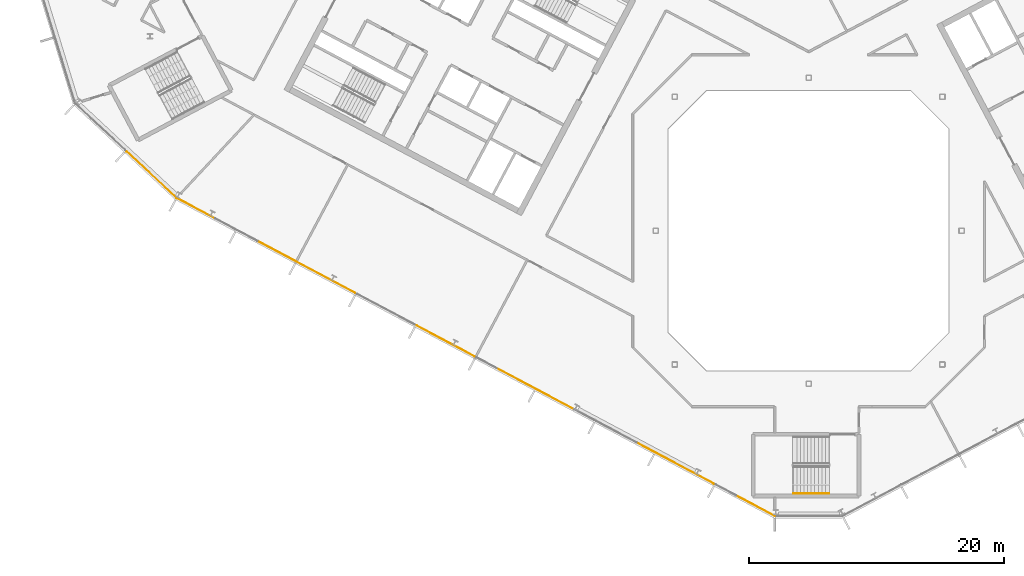
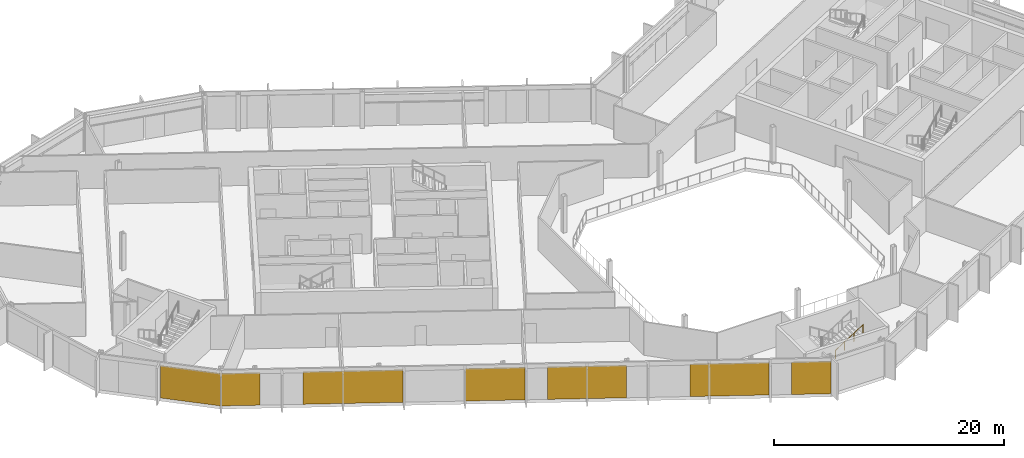
# One storey, part 19 of 26: 7 coverings, 1 railing, 2 elements without a shape of their own.
"""IFC4 building model written with IfcOpenShell, lengths in metres."""

from ifc_helpers import new_model, si_unit, direction, frame, origin, origin_2d, place, context, subcontext, project, spatial, polyline, rectangle, outline, extrude, material, layer, layer_set, type_object, element, aggregate, save


model = new_model("IFC4")

# Units and contexts
model_context = context("Model", 3, precision=1e-05, world=origin(), true_north=direction((0.0, 1.0)))
body_context = subcontext(model_context, "Body", "Model", "MODEL_VIEW")
ifc_project = project(units=[si_unit("LENGTHUNIT", "METRE"), si_unit("AREAUNIT", "SQUARE_METRE"), si_unit("VOLUMEUNIT", "CUBIC_METRE"), si_unit("PLANEANGLEUNIT", "RADIAN"), si_unit("MASSUNIT", "GRAM", prefix="KILO")], contexts=[model_context])

# Site, building, storey
site_placement = place(None, origin())
site = spatial("IfcSite", under=ifc_project, at=site_placement, CompositionType="ELEMENT")
building_placement = place(site_placement, origin())
building = spatial("IfcBuilding", under=site, at=building_placement, Name="Cormorant Relay Tower", CompositionType="ELEMENT")
storey_placement = place(building_placement, frame((0.0, 0.0, 300.89990234375)))
storey = spatial("IfcBuildingStorey", under=building, at=storey_placement, Name="L68", CompositionType="ELEMENT", Elevation=300.89990234375)

# Curtain wall, covering
ifc_material_1 = material(Name="Aluminium 6063-T6 anodised bronze", Category="aluminium")
ifc_layer_1 = layer(ifc_material_1, 0.199951171875)
ifc_layer_set_1 = layer_set([ifc_layer_1], Name="CW1 unitised bronze curtain wall with vertical fins")
curtain_wall_type = type_object("IfcCurtainWallType", Name="CW1 unitised bronze curtain wall with vertical fins", PredefinedType="NOTDEFINED", material=ifc_layer_set_1)
curtain_wall_1_placement = place(storey_placement, origin())
curtain_wall_1 = element("IfcCurtainWall", 1, at=curtain_wall_1_placement, inside=storey, type_object=curtain_wall_type, Name="CW1 curtain wall 15", PredefinedType="NOTDEFINED")
ifc_material_2 = material(Name="Pale bronze anodised aluminium insulated panel", Category="aluminium")
ifc_layer_2 = layer(ifc_material_2, 0.0400390625)
ifc_layer_set_2 = layer_set([ifc_layer_2], Name="CW1 pale bronze insulated panel 40")
covering_type = type_object("IfcCoveringType", Name="CW1 pale bronze insulated panel 40", PredefinedType="CLADDING", material=ifc_layer_set_2)
covering_1_placement = place(storey_placement, frame((-51.565185546875, 4.3974609375, 0.0), z_axis=(0.0, 0.0, 1.0), x_axis=(0.731353701619, -0.681998360062, 0.0)))
covering_1 = element("IfcCovering", 2, at=covering_1_placement, type_object=covering_type, Name="CW1 panel S02", PredefinedType="CLADDING", context=body_context, shape_type="SweptSolid", body=[
    extrude(rectangle(XDim=5.360107421875, YDim=0.0400390625, at=origin_2d()), origin(), (0.0, 0.0, 1.0), 3.449951171875),
])
aggregate(curtain_wall_1, [covering_1])

# Curtain wall, coverings
curtain_wall_2_placement = place(storey_placement, origin())
curtain_wall_2 = element("IfcCurtainWall", 3, at=curtain_wall_2_placement, inside=storey, type_object=curtain_wall_type, Name="CW1 curtain wall 16", PredefinedType="NOTDEFINED")
covering_2_placement = place(storey_placement, frame((-48.048583984375, 1.7412109375, 0.0), z_axis=(0.0, 0.0, 1.0), x_axis=(0.882947592859, -0.469471562786, 0.0)))
covering_2 = element("IfcCovering", 4, at=covering_2_placement, type_object=covering_type, Name="CW1 panel S00", PredefinedType="CLADDING", context=body_context, shape_type="SweptSolid", body=[
    extrude(rectangle(XDim=3.36669921875, YDim=0.0400390625, at=origin_2d()), origin(), (0.0, 0.0, 1.0), 3.449951171875),
])
covering_3_placement = place(storey_placement, frame((-39.417724609375, -2.847900390625, 0.0), z_axis=(0.0, 0.0, 1.0), x_axis=(0.882947592859, -0.469471562786, 0.0)))
covering_3 = element("IfcCovering", 5, at=covering_3_placement, type_object=covering_type, Name="CW1 panel S03", PredefinedType="CLADDING", context=body_context, shape_type="SweptSolid", body=[
    extrude(rectangle(XDim=8.68310546875, YDim=0.0400390625, at=origin_2d()), origin(), (0.0, 0.0, 1.0), 3.449951171875),
])
covering_4_placement = place(storey_placement, frame((-28.476806640625, -8.665283203125, 0.0), z_axis=(0.0, 0.0, 1.0), x_axis=(0.882947592859, -0.469471562786, 0.0)))
covering_4 = element("IfcCovering", 6, at=covering_4_placement, type_object=covering_type, Name="CW1 panel S05", PredefinedType="CLADDING", context=body_context, shape_type="SweptSolid", body=[
    extrude(rectangle(XDim=5.16650390625, YDim=0.0400390625, at=origin_2d()), origin(), (0.0, 0.0, 1.0), 3.449951171875),
])
covering_5_placement = place(storey_placement, frame((-21.435302734375, -12.4091796875, 0.0), z_axis=(0.0, 0.0, 1.0), x_axis=(0.882947592859, -0.469471562786, 0.0)))
covering_5 = element("IfcCovering", 7, at=covering_5_placement, type_object=covering_type, Name="CW1 panel S07", PredefinedType="CLADDING", context=body_context, shape_type="SweptSolid", body=[
    extrude(rectangle(XDim=6.88330078125, YDim=0.0400390625, at=origin_2d()), origin(), (0.0, 0.0, 1.0), 3.449951171875),
])
covering_6_placement = place(storey_placement, frame((-10.45751953125, -18.246337890625, 0.0), z_axis=(0.0, 0.0, 1.0), x_axis=(0.882947592859, -0.469471562786, 0.0)))
covering_6 = element("IfcCovering", 8, at=covering_6_placement, type_object=covering_type, Name="CW1 panel S10", PredefinedType="CLADDING", context=body_context, shape_type="SweptSolid", body=[
    extrude(rectangle(XDim=6.88330078125, YDim=0.0400390625, at=origin_2d()), origin(), (0.0, 0.0, 1.0), 3.449951171875),
])
covering_7_placement = place(storey_placement, frame((-4.177490234375, -21.58544921875, 0.0), z_axis=(0.0, 0.0, 1.0), x_axis=(0.882947592859, -0.469471562786, 0.0)))
covering_7 = element("IfcCovering", 9, at=covering_7_placement, type_object=covering_type, Name="CW1 panel S12", PredefinedType="CLADDING", context=body_context, shape_type="SweptSolid", body=[
    extrude(rectangle(XDim=3.441650390625, YDim=0.0400390625, at=origin_2d()), origin(), (0.0, 0.0, 1.0), 3.449951171875),
])
aggregate(curtain_wall_2, [covering_2, covering_3, covering_4, covering_5, covering_6, covering_7])

# Railing
ifc_material_3 = material(Name="Steel ASTM A572 Grade 50 (Fy 345 MPa)", Category="steel")
railing_type = type_object("IfcRailingType", Name="Stair handrail 900", PredefinedType="HANDRAIL", material=ifc_material_3)
railing_placement = place(storey_placement, frame((-1.199951171875, -20.625, 2.12744140625)))
element("IfcRailing", 10, at=railing_placement, inside=storey, type_object=railing_type, Name="L68 RK1 stair handrail 2", PredefinedType="HANDRAIL", context=body_context, shape_type="SweptSolid", body=[
    extrude(outline(polyline([(0.022216796875, 0.00927734375), (0.00927734375, 0.022216796875), (-0.00927734375, 0.022216796875), (-0.022216796875, 0.00927734375), (-0.022216796875, -0.00927734375), (-0.00927734375, -0.022216796875), (0.00927734375, -0.022216796875), (0.022216796875, -0.00927734375), (0.022216796875, 0.00927734375)])), frame((0.0, 0.0, 0.8759765625), z_axis=(0.844908973607, 0.0, 0.534910110503), x_axis=(0.0, 1.0, 0.0)), (0.0, 0.0, 1.0), 3.31396484375),
    extrude(outline(polyline([(0.019287109375, 0.008056640625), (0.008056640625, 0.019287109375), (-0.008056640625, 0.019287109375), (-0.019287109375, 0.008056640625), (-0.019287109375, -0.008056640625), (-0.008056640625, -0.019287109375), (0.008056640625, -0.019287109375), (0.019287109375, -0.008056640625), (0.019287109375, 0.008056640625)])), origin(), (0.0, 0.0, 1.0), 0.851806640625),
    extrude(outline(polyline([(0.019287109375, 0.008056640625), (0.008056640625, 0.019287109375), (-0.008056640625, 0.019287109375), (-0.019287109375, 0.008056640625), (-0.019287109375, -0.008056640625), (-0.008056640625, -0.019287109375), (0.008056640625, -0.019287109375), (0.019287109375, -0.008056640625), (0.019287109375, 0.008056640625)])), frame((0.933349609375, 0.0, 0.5908203125)), (0.0, 0.0, 1.0), 0.851806640625),
    extrude(outline(polyline([(0.019287109375, 0.008056640625), (0.008056640625, 0.019287109375), (-0.008056640625, 0.019287109375), (-0.019287109375, 0.008056640625), (-0.019287109375, -0.008056640625), (-0.008056640625, -0.019287109375), (0.008056640625, -0.019287109375), (0.019287109375, -0.008056640625), (0.019287109375, 0.008056640625)])), frame((1.86669921875, 0.0, 1.181884765625)), (0.0, 0.0, 1.0), 0.851806640625),
    extrude(outline(polyline([(0.019287109375, 0.008056640625), (0.008056640625, 0.019287109375), (-0.008056640625, 0.019287109375), (-0.019287109375, 0.008056640625), (-0.019287109375, -0.008056640625), (-0.008056640625, -0.019287109375), (0.008056640625, -0.019287109375), (0.019287109375, -0.008056640625), (0.019287109375, 0.008056640625)])), frame((2.800048828125, 0.0, 1.772705078125)), (0.0, 0.0, 1.0), 0.851806640625),
])

save(model, "model.ifc")
